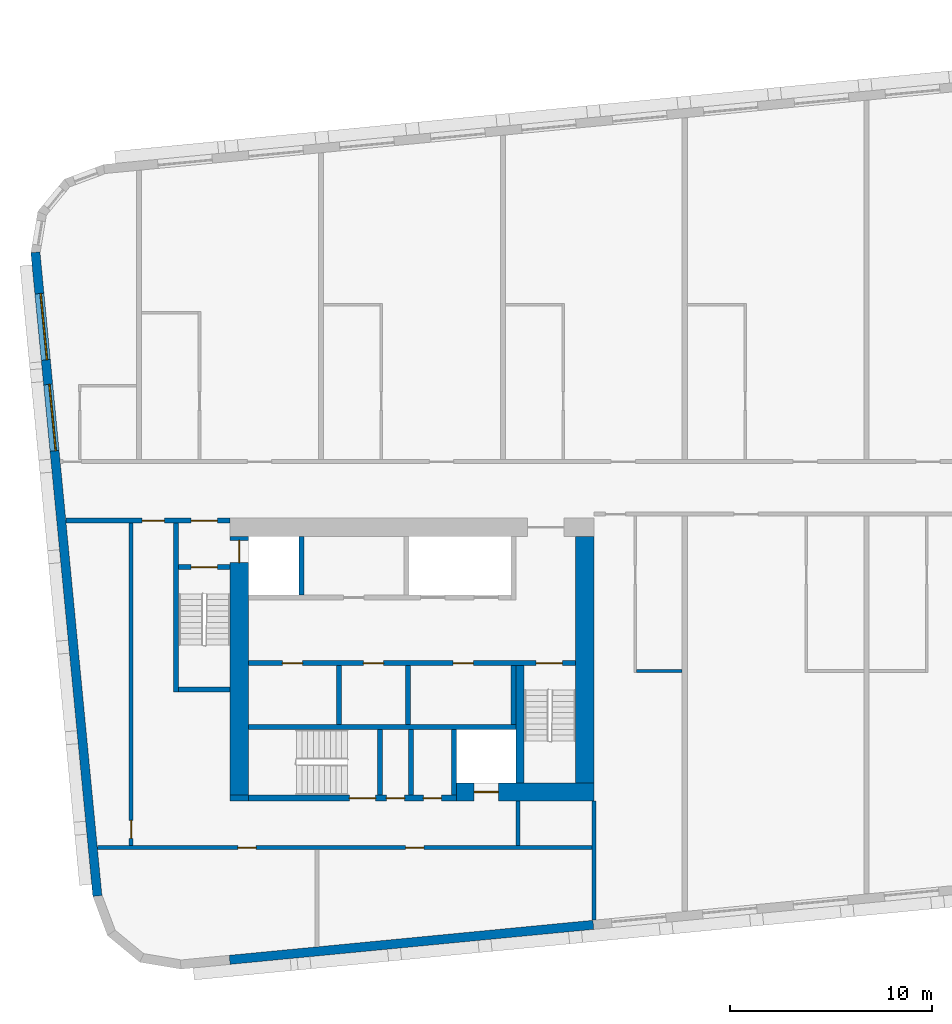
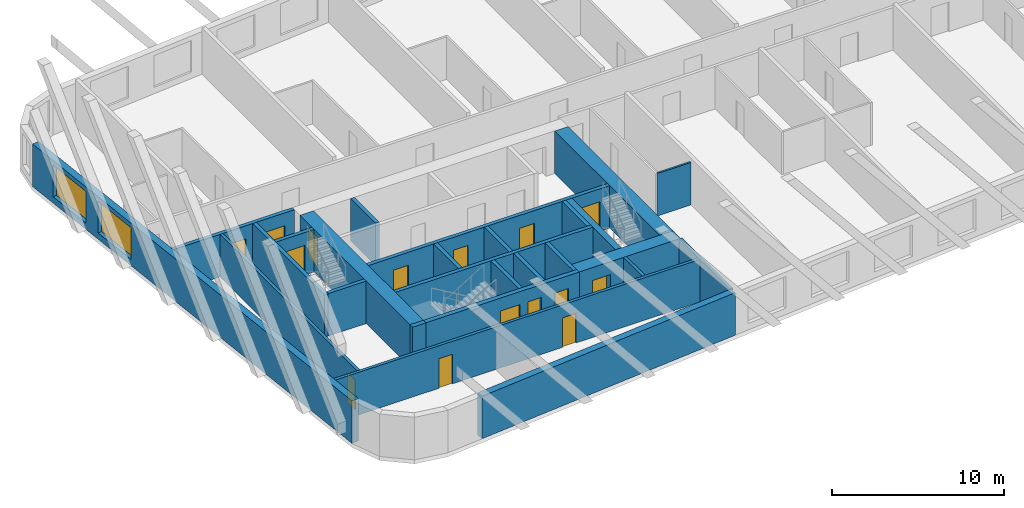
# One storey, part 2 of 12: 26 walls, 15 doors, 2 windows, 17 openings.
"""IFC4 building model written with IfcOpenShell, lengths in metres."""

from ifc_helpers import new_model, si_unit, direction, frame, frame_2d, origin, place, context, subcontext, project, spatial, rectangle, extrude, material, layer, layer_set, type_object, element, fill, save


model = new_model("IFC4")

# Units and contexts
model_context = context("Model", 3, precision=1e-05, world=origin(), true_north=direction((0.0, 1.0)))
body_context = subcontext(model_context, "Body", "Model", "MODEL_VIEW")
ifc_project = project(units=[si_unit("LENGTHUNIT", "METRE"), si_unit("AREAUNIT", "SQUARE_METRE"), si_unit("VOLUMEUNIT", "CUBIC_METRE"), si_unit("PLANEANGLEUNIT", "RADIAN"), si_unit("MASSUNIT", "GRAM", prefix="KILO")], contexts=[model_context])

# Site, building, storey
site_placement = place(None, origin())
site = spatial("IfcSite", under=ifc_project, at=site_placement, CompositionType="ELEMENT")
building_placement = place(site_placement, origin())
building = spatial("IfcBuilding", under=site, at=building_placement, Name="Kajstack Hotel Tower", CompositionType="ELEMENT")
storey_placement = place(building_placement, frame((0.0, 0.0, 268.5)))
storey = spatial("IfcBuildingStorey", under=building, at=storey_placement, Name="L66", CompositionType="ELEMENT", Elevation=268.5)

# Wall, opening, door
ifc_material_1 = material(Name="Concrete C60/75", Category="concrete")
ifc_layer_1 = layer(ifc_material_1, 0.89990234375)
ifc_layer_set_1 = layer_set([ifc_layer_1], Name="Core wall 900")
wall_type_1 = type_object("IfcWallType", Name="Core wall 900", PredefinedType="SHEAR", material=ifc_layer_set_1)
wall_1_placement = place(storey_placement, frame((-20.300048828125, -15.050048828125, 0.0), z_axis=(0.0, 0.0, 1.0), x_axis=(1.0, 0.0, 0.0)))
wall_1 = element("IfcWall", 1, at=wall_1_placement, inside=storey, type_object=wall_type_1, Name="Core wall W RS", PredefinedType="SHEAR", context=body_context, shape_type="SweptSolid", body=[
    extrude(rectangle(XDim=6.800048828125, YDim=0.89990234375, at=frame_2d((3.39990234375, 0.0))), origin(), (0.0, 0.0, 1.0), 3.02001953125),
])
opening_1_placement = place(wall_1_placement, frame((0.875, 0.0, 0.0)))
opening_1 = element("IfcOpeningElement", 2, at=opening_1_placement, cuts=wall_1, Name="Opening LD-SV1", PredefinedType="OPENING", context=body_context, shape_type="SweptSolid", body=[
    extrude(rectangle(XDim=1.199951171875, YDim=2.10009765625, at=frame_2d((0.60009765625, 1.050048828125))), frame((0.0, 0.4599609375, 0.0), z_axis=(0.0, -1.0, 0.0), x_axis=(1.0, 0.0, 0.0)), (0.0, 0.0, 1.0), 0.919921875),
])
ifc_material_2 = material(Name="Stainless steel", Category="steel")
door_type_1 = type_object("IfcDoorType", Name="Lift landing door 1200", OperationType="SLIDING_TO_LEFT", PredefinedType="DOOR", material=ifc_material_2)
door_1_placement = place(opening_1_placement, origin())
door_1 = element("IfcDoor", 3, at=door_1_placement, inside=storey, type_object=door_type_1, Name="Landing door SV1", OperationType="SLIDING_TO_LEFT", OverallHeight=2.10009765625, OverallWidth=1.199951171875, PredefinedType="DOOR", context=body_context, shape_type="SweptSolid", body=[
    extrude(rectangle(XDim=1.199951171875, YDim=2.10009765625, at=frame_2d((0.60009765625, 1.050048828125))), frame((0.0, 0.02490234375, 0.0), z_axis=(0.0, -1.0, 0.0), x_axis=(1.0, 0.0, 0.0)), (0.0, 0.0, 1.0), 0.050048828125),
])
fill(opening_1, door_1)

# Wall
wall_2_placement = place(storey_placement, frame((-31.5, -15.35009765625, 0.0), z_axis=(0.0, 0.0, 1.0), x_axis=(1.0, 0.0, 0.0)))
element("IfcWall", 4, at=wall_2_placement, inside=storey, type_object=wall_type_1, Name="Core wall W RSW", PredefinedType="SHEAR", context=body_context, shape_type="SweptSolid", body=[
    extrude(rectangle(XDim=0.89990234375, YDim=0.300048828125, at=frame_2d((0.449951171875, 0.0))), origin(), (0.0, 0.0, 1.0), 3.02001953125),
])

# Wall, opening, door
wall_3_placement = place(storey_placement, frame((-31.050048828125, -15.199951171875, 0.0), z_axis=(0.0, 0.0, 1.0), x_axis=(0.0, 1.0, 0.0)))
wall_3 = element("IfcWall", 5, at=wall_3_placement, inside=storey, type_object=wall_type_1, Name="Core wall W RW", PredefinedType="SHEAR", context=body_context, shape_type="SweptSolid", body=[
    extrude(rectangle(XDim=12.800048828125, YDim=0.89990234375, at=frame_2d((6.39990234375, 0.0))), origin(), (0.0, 0.0, 1.0), 3.02001953125),
])
opening_2_placement = place(wall_3_placement, frame((11.5, 0.0, 0.0)))
opening_2 = element("IfcOpeningElement", 6, at=opening_2_placement, cuts=wall_3, Name="Opening LD-FF1", PredefinedType="OPENING", context=body_context, shape_type="SweptSolid", body=[
    extrude(rectangle(XDim=1.10009765625, YDim=2.10009765625, at=frame_2d((0.550048828125, 1.050048828125))), frame((0.0, 0.4599609375, 0.0), z_axis=(0.0, -1.0, 0.0), x_axis=(1.0, 0.0, 0.0)), (0.0, 0.0, 1.0), 0.919921875),
])
door_type_2 = type_object("IfcDoorType", Name="Fire-fighting lift landing door 1100", OperationType="SLIDING_TO_LEFT", PredefinedType="DOOR", material=ifc_material_2)
door_2_placement = place(opening_2_placement, origin())
door_2 = element("IfcDoor", 7, at=door_2_placement, inside=storey, type_object=door_type_2, Name="Landing door FF1", OperationType="SLIDING_TO_RIGHT", OverallHeight=2.10009765625, OverallWidth=1.10009765625, PredefinedType="DOOR", context=body_context, shape_type="SweptSolid", body=[
    extrude(rectangle(XDim=1.10009765625, YDim=2.10009765625, at=frame_2d((0.550048828125, 1.050048828125))), frame((0.0, 0.02490234375, 0.0), z_axis=(0.0, -1.0, 0.0), x_axis=(1.0, 0.0, 0.0)), (0.0, 0.0, 1.0), 0.050048828125),
])
fill(opening_2, door_2)

# Walls
wall_4_placement = place(storey_placement, frame((-13.949951171875, -14.60009765625, 0.0), z_axis=(0.0, 0.0, 1.0), x_axis=(0.0, 1.0, 0.0)))
element("IfcWall", 8, at=wall_4_placement, inside=storey, type_object=wall_type_1, Name="Core wall W RE", PredefinedType="SHEAR", context=body_context, shape_type="SweptSolid", body=[
    extrude(rectangle(XDim=12.2001953125, YDim=0.89990234375, at=frame_2d((6.10009765625, 0.0))), origin(), (0.0, 0.0, 1.0), 3.02001953125),
])
ifc_material_3 = material(Name="Twin-frame gypsum board on steel studs, mineral wool", Category="steel")
ifc_layer_2 = layer(ifc_material_3, 0.199951171875)
ifc_layer_set_2 = layer_set([ifc_layer_2], Name="Demising wall 200")
wall_type_2 = type_object("IfcWallType", Name="Demising wall 200", PredefinedType="PARTITIONING", material=ifc_layer_set_2)
wall_5_placement = place(storey_placement, frame((-13.5, -21.39599609375, 0.0), z_axis=(0.0, 0.0, 1.0), x_axis=(0.0, 1.0, 0.0)))
element("IfcWall", 9, at=wall_5_placement, inside=storey, type_object=wall_type_2, Name="G-wall-L66-002", PredefinedType="PARTITIONING", context=body_context, shape_type="SweptSolid", body=[
    extrude(rectangle(XDim=5.89599609375, YDim=0.199951171875, at=frame_2d((2.947998046875, 0.0))), origin(), (0.0, 0.0, 1.0), 3.02001953125),
])
ifc_material_4 = material(Name="Concrete C40/50", Category="concrete")
ifc_layer_3 = layer(ifc_material_4, 0.449951171875)
ifc_layer_set_3 = layer_set([ifc_layer_3], Name="EW-CORE")
wall_type_3 = type_object("IfcWallType", Name="EW-CORE", PredefinedType="SOLIDWALL", material=ifc_layer_set_3)
wall_6_placement = place(storey_placement, frame((-31.521484375, -23.357177734375, 0.0), z_axis=(0.0, 0.0, 1.0), x_axis=(0.995396454615, 0.095843091245, 0.0)))
element("IfcWall", 10, at=wall_6_placement, inside=storey, type_object=wall_type_3, Name="E-wall-L66-04-01", PredefinedType="SOLIDWALL", context=body_context, shape_type="SweptSolid", body=[
    extrude(rectangle(XDim=18.083251953125, YDim=0.449951171875, at=frame_2d((9.04150390625, 0.0))), origin(), (0.0, 0.0, 1.0), 3.02001953125),
])

# Wall, openings, windows
ifc_material_5 = material(Name="Terracotta-faced brick masonry", Category="masonry")
ifc_layer_4 = layer(ifc_material_5, 0.449951171875)
ifc_layer_set_4 = layer_set([ifc_layer_4], Name="EW-TERRA")
wall_type_4 = type_object("IfcWallType", Name="EW-TERRA", PredefinedType="SOLIDWALL", material=ifc_layer_set_4)
wall_7_placement = place(storey_placement, frame((-41.13232421875, 11.657958984375, 0.0), z_axis=(0.0, 0.0, 1.0), x_axis=(0.095847749461, -0.995396006082, 0.0)))
wall_7 = element("IfcWall", 11, at=wall_7_placement, inside=storey, type_object=wall_type_4, Name="E-wall-L66-00-00", PredefinedType="SOLIDWALL", context=body_context, shape_type="SweptSolid", body=[
    extrude(rectangle(XDim=32.0, YDim=0.449951171875, at=frame_2d((16.0, 0.0))), origin(), (0.0, 0.0, 1.0), 3.02001953125),
])
opening_3_placement = place(wall_7_placement, frame((2.053466796875, 0.0, 0.449951171875)))
opening_3 = element("IfcOpeningElement", 12, at=opening_3_placement, cuts=wall_7, Name="Opening W2", PredefinedType="OPENING", context=body_context, shape_type="SweptSolid", body=[
    extrude(rectangle(XDim=3.300048828125, YDim=2.25, at=frame_2d((1.64990234375, 1.125))), frame((0.0, 0.23486328125, 0.0), z_axis=(0.0, -1.0, 0.0), x_axis=(1.0, 0.0, 0.0)), (0.0, 0.0, 1.0), 0.469970703125),
])
opening_4_placement = place(wall_7_placement, frame((6.57421875, 0.0, 0.449951171875)))
opening_4 = element("IfcOpeningElement", 13, at=opening_4_placement, cuts=wall_7, Name="Opening W2", PredefinedType="OPENING", context=body_context, shape_type="SweptSolid", body=[
    extrude(rectangle(XDim=3.300048828125, YDim=2.25, at=frame_2d((1.64990234375, 1.125))), frame((0.0, 0.23486328125, 0.0), z_axis=(0.0, -1.0, 0.0), x_axis=(1.0, 0.0, 0.0)), (0.0, 0.0, 1.0), 0.469970703125),
])
ifc_material_6 = material(Name="Timber-aluminium window, triple glazed", Category="wood")
window_type = type_object("IfcWindowType", Name="WG2", PartitioningType="SINGLE_PANEL", PredefinedType="WINDOW", material=ifc_material_6)
window_1_placement = place(opening_3_placement, origin())
window_1 = element("IfcWindow", 14, at=window_1_placement, inside=storey, type_object=window_type, Name="Window W2 L66-00", OverallHeight=2.25, OverallWidth=3.300048828125, PartitioningType="SINGLE_PANEL", PredefinedType="WINDOW", context=body_context, shape_type="SweptSolid", body=[
    extrude(rectangle(XDim=3.300048828125, YDim=2.25, at=frame_2d((1.64990234375, 1.125))), frame((0.0, 0.090087890625, 0.0), z_axis=(0.0, -1.0, 0.0), x_axis=(1.0, 0.0, 0.0)), (0.0, 0.0, 1.0), 0.06005859375),
])
fill(opening_3, window_1)
window_2_placement = place(opening_4_placement, origin())
window_2 = element("IfcWindow", 15, at=window_2_placement, inside=storey, type_object=window_type, Name="Window W2 L66-00", OverallHeight=2.25, OverallWidth=3.300048828125, PartitioningType="SINGLE_PANEL", PredefinedType="WINDOW", context=body_context, shape_type="SweptSolid", body=[
    extrude(rectangle(XDim=3.300048828125, YDim=2.25, at=frame_2d((1.64990234375, 1.125))), frame((0.0, 0.090087890625, 0.0), z_axis=(0.0, -1.0, 0.0), x_axis=(1.0, 0.0, 0.0)), (0.0, 0.0, 1.0), 0.06005859375),
])
fill(opening_4, window_2)

# Walls
ifc_material_7 = material(Name="Gypsum board and tiled backer on steel studs", Category="steel")
ifc_layer_5 = layer(ifc_material_7, 0.125)
ifc_layer_set_5 = layer_set([ifc_layer_5], Name="En-suite wall 125")
wall_type_5 = type_object("IfcWallType", Name="En-suite wall 125", PredefinedType="PARTITIONING", material=ifc_layer_set_5)
wall_8_placement = place(storey_placement, frame((-11.375, -9.06201171875, 0.0), z_axis=(0.0, 0.0, 1.0), x_axis=(1.0, 0.0, 0.0)))
element("IfcWall", 16, at=wall_8_placement, inside=storey, type_object=wall_type_5, Name="G-wall-L66-020", PredefinedType="PARTITIONING", context=body_context, shape_type="SweptSolid", body=[
    extrude(rectangle(XDim=2.25, YDim=0.125, at=frame_2d((1.125, 0.0))), origin(), (0.0, 0.0, 1.0), 3.02001953125),
])
ifc_material_8 = material(Name="Concrete block masonry", Category="masonry")
ifc_layer_6 = layer(ifc_material_8, 0.25)
ifc_layer_set_6 = layer_set([ifc_layer_6], Name="Riser partition 250")
wall_type_6 = type_object("IfcWallType", Name="Riser partition 250", PredefinedType="PARTITIONING", material=ifc_layer_set_6)
for number, where, z_axis, x_axis, name in (
    (17, (-26.10009765625, -11.699951171875, 0.0), (0.0, 0.0, 1.0), (0.0, 1.0, 0.0), "Partition W BF0"),
    (18, (-22.699951171875, -11.699951171875, 0.0), (0.0, 0.0, 1.0), (0.0, 1.0, 0.0), "Partition W BF1"),
):
    element("IfcWall", number, at=place(storey_placement, frame(where, z_axis=z_axis, x_axis=x_axis)), inside=storey, type_object=wall_type_6, Name=name, PredefinedType="PARTITIONING", context=body_context, shape_type="SweptSolid", body=[
        extrude(rectangle(XDim=2.89990234375, YDim=0.25, at=frame_2d((1.449951171875, 0.0))), origin(), (0.0, 0.0, 1.0), 3.02001953125),
    ])
wall_9_placement = place(storey_placement, frame((-22.550048828125, -15.199951171875, 0.0), z_axis=(0.0, 0.0, 1.0), x_axis=(0.0, 1.0, 0.0)))
element("IfcWall", 19, at=wall_9_placement, inside=storey, type_object=wall_type_6, Name="Partition W SZ0", PredefinedType="PARTITIONING", context=body_context, shape_type="SweptSolid", body=[
    extrude(rectangle(XDim=3.25, YDim=0.25, at=frame_2d((1.625, 0.0))), origin(), (0.0, 0.0, 1.0), 3.02001953125),
])

# Wall, openings, doors
ifc_material_9 = material(Name="Gypsum board on steel studs, mineral wool", Category="steel")
ifc_layer_7 = layer(ifc_material_9, 0.199951171875)
ifc_layer_set_7 = layer_set([ifc_layer_7], Name="Service partition 200")
wall_type_7 = type_object("IfcWallType", Name="Service partition 200", PredefinedType="PARTITIONING", material=ifc_layer_set_7)
wall_10_placement = place(storey_placement, frame((-39.627197265625, -1.625, 0.0), z_axis=(0.0, 0.0, 1.0), x_axis=(1.0, 0.0, 0.0)))
wall_10 = element("IfcWall", 20, at=wall_10_placement, inside=storey, type_object=wall_type_7, Name="Partition W SN", PredefinedType="PARTITIONING", context=body_context, shape_type="SweptSolid", body=[
    extrude(rectangle(XDim=8.127197265625, YDim=0.25, at=frame_2d((4.0634765625, 0.0))), origin(), (0.0, 0.0, 1.0), 3.02001953125),
])
opening_5_placement = place(wall_10_placement, frame((6.202392578125, 0.0, 0.0)))
opening_5 = element("IfcOpeningElement", 21, at=opening_5_placement, cuts=wall_10, Name="Opening 66W06", PredefinedType="OPENING", context=body_context, shape_type="SweptSolid", body=[
    extrude(rectangle(XDim=1.300048828125, YDim=2.10009765625, at=frame_2d((0.64990234375, 1.050048828125))), frame((0.0, 0.135009765625, 0.0), z_axis=(0.0, -1.0, 0.0), x_axis=(1.0, 0.0, 0.0)), (0.0, 0.0, 1.0), 0.27001953125),
])
opening_6_placement = place(wall_10_placement, frame((3.77734375, 0.0, 0.0)))
opening_6 = element("IfcOpeningElement", 22, at=opening_6_placement, cuts=wall_10, Name="Opening 66W08", PredefinedType="OPENING", context=body_context, shape_type="SweptSolid", body=[
    extrude(rectangle(XDim=1.10009765625, YDim=2.10009765625, at=frame_2d((0.550048828125, 1.050048828125))), frame((0.0, 0.135009765625, 0.0), z_axis=(0.0, -1.0, 0.0), x_axis=(1.0, 0.0, 0.0)), (0.0, 0.0, 1.0), 0.27001953125),
])
ifc_material_10 = material(Name="Steel leaf, fire-rated", Category="steel")
door_type_3 = type_object("IfcDoorType", Name="Fire lobby door 1300", OperationType="SINGLE_SWING_LEFT", PredefinedType="DOOR", material=ifc_material_10)
door_3_placement = place(opening_5_placement, origin())
door_3 = element("IfcDoor", 23, at=door_3_placement, inside=storey, type_object=door_type_3, Name="Door 66W06", OperationType="SINGLE_SWING_RIGHT", OverallHeight=2.10009765625, OverallWidth=1.300048828125, PredefinedType="DOOR", context=body_context, shape_type="SweptSolid", body=[
    extrude(rectangle(XDim=1.300048828125, YDim=2.10009765625, at=frame_2d((0.64990234375, 1.050048828125))), frame((0.0, 0.02490234375, 0.0), z_axis=(0.0, -1.0, 0.0), x_axis=(1.0, 0.0, 0.0)), (0.0, 0.0, 1.0), 0.050048828125),
])
fill(opening_5, door_3)
ifc_material_11 = material(Name="Timber leaf, fire-rated", Category="wood")
door_type_4 = type_object("IfcDoorType", Name="Service corridor door 1100", OperationType="SINGLE_SWING_LEFT", PredefinedType="DOOR", material=ifc_material_11)
door_4_placement = place(opening_6_placement, origin())
door_4 = element("IfcDoor", 24, at=door_4_placement, inside=storey, type_object=door_type_4, Name="Door 66W08", OperationType="SINGLE_SWING_RIGHT", OverallHeight=2.10009765625, OverallWidth=1.10009765625, PredefinedType="DOOR", context=body_context, shape_type="SweptSolid", body=[
    extrude(rectangle(XDim=1.10009765625, YDim=2.10009765625, at=frame_2d((0.550048828125, 1.050048828125))), frame((0.0, 0.02490234375, 0.0), z_axis=(0.0, -1.0, 0.0), x_axis=(1.0, 0.0, 0.0)), (0.0, 0.0, 1.0), 0.050048828125),
])
fill(opening_6, door_4)

# Wall
wall_11_placement = place(storey_placement, frame((-17.25, -17.699951171875, 0.0), z_axis=(0.0, 0.0, 1.0), x_axis=(0.0, 1.0, 0.0)))
element("IfcWall", 25, at=wall_11_placement, inside=storey, type_object=wall_type_7, Name="Partition W SCE", PredefinedType="PARTITIONING", context=body_context, shape_type="SweptSolid", body=[
    extrude(rectangle(XDim=2.199951171875, YDim=0.199951171875, at=frame_2d((1.10009765625, 0.0))), origin(), (0.0, 0.0, 1.0), 3.02001953125),
])

# Wall, opening, door
wall_12_placement = place(storey_placement, frame((-36.39990234375, -17.699951171875, 0.0), z_axis=(0.0, 0.0, 1.0), x_axis=(0.0, 1.0, 0.0)))
wall_12 = element("IfcWall", 26, at=wall_12_placement, inside=storey, type_object=wall_type_7, Name="Partition W WRE", PredefinedType="PARTITIONING", context=body_context, shape_type="SweptSolid", body=[
    extrude(rectangle(XDim=15.949951171875, YDim=0.199951171875, at=frame_2d((7.97509765625, 0.0))), origin(), (0.0, 0.0, 1.0), 3.02001953125),
])
opening_7_placement = place(wall_12_placement, frame((0.35009765625, 0.0, 0.0)))
opening_7 = element("IfcOpeningElement", 27, at=opening_7_placement, cuts=wall_12, Name="Opening 66W19", PredefinedType="OPENING", context=body_context, shape_type="SweptSolid", body=[
    extrude(rectangle(XDim=0.89990234375, YDim=2.10009765625, at=frame_2d((0.449951171875, 1.050048828125))), frame((0.0, 0.10986328125, 0.0), z_axis=(0.0, -1.0, 0.0), x_axis=(1.0, 0.0, 0.0)), (0.0, 0.0, 1.0), 0.219970703125),
])
door_type_5 = type_object("IfcDoorType", Name="Service door 900", OperationType="SINGLE_SWING_LEFT", PredefinedType="DOOR", material=ifc_material_11)
door_5_placement = place(opening_7_placement, origin())
door_5 = element("IfcDoor", 28, at=door_5_placement, inside=storey, type_object=door_type_5, Name="Door 66W19", OperationType="SINGLE_SWING_LEFT", OverallHeight=2.10009765625, OverallWidth=0.89990234375, PredefinedType="DOOR", context=body_context, shape_type="SweptSolid", body=[
    extrude(rectangle(XDim=0.89990234375, YDim=2.10009765625, at=frame_2d((0.449951171875, 1.050048828125))), frame((0.0, 0.02490234375, 0.0), z_axis=(0.0, -1.0, 0.0), x_axis=(1.0, 0.0, 0.0)), (0.0, 0.0, 1.0), 0.050048828125),
])
fill(opening_7, door_5)

# Wall, openings, doors
wall_13_placement = place(storey_placement, frame((-38.06982421875, -17.800048828125, 0.0), z_axis=(0.0, 0.0, 1.0), x_axis=(1.0, 0.0, 0.0)))
wall_13 = element("IfcWall", 29, at=wall_13_placement, inside=storey, type_object=wall_type_7, Name="Partition W SLN", PredefinedType="PARTITIONING", context=body_context, shape_type="SweptSolid", body=[
    extrude(rectangle(XDim=24.4697265625, YDim=0.199951171875, at=frame_2d((12.23486328125, 0.0))), origin(), (0.0, 0.0, 1.0), 3.02001953125),
])
opening_8_placement = place(wall_13_placement, frame((6.957275390625, 0.0, 0.0)))
opening_8 = element("IfcOpeningElement", 30, at=opening_8_placement, cuts=wall_13, Name="Opening 66W17", PredefinedType="OPENING", context=body_context, shape_type="SweptSolid", body=[
    extrude(rectangle(XDim=0.89990234375, YDim=2.10009765625, at=frame_2d((0.449951171875, 1.050048828125))), frame((0.0, 0.10986328125, 0.0), z_axis=(0.0, -1.0, 0.0), x_axis=(1.0, 0.0, 0.0)), (0.0, 0.0, 1.0), 0.219970703125),
])
opening_9_placement = place(wall_13_placement, frame((15.25732421875, 0.0, 0.0)))
opening_9 = element("IfcOpeningElement", 31, at=opening_9_placement, cuts=wall_13, Name="Opening 66W18", PredefinedType="OPENING", context=body_context, shape_type="SweptSolid", body=[
    extrude(rectangle(XDim=0.89990234375, YDim=2.10009765625, at=frame_2d((0.449951171875, 1.050048828125))), frame((0.0, 0.10986328125, 0.0), z_axis=(0.0, -1.0, 0.0), x_axis=(1.0, 0.0, 0.0)), (0.0, 0.0, 1.0), 0.219970703125),
])
door_6_placement = place(opening_8_placement, origin())
door_6 = element("IfcDoor", 32, at=door_6_placement, inside=storey, type_object=door_type_5, Name="Door 66W17", OperationType="SINGLE_SWING_RIGHT", OverallHeight=2.10009765625, OverallWidth=0.89990234375, PredefinedType="DOOR", context=body_context, shape_type="SweptSolid", body=[
    extrude(rectangle(XDim=0.89990234375, YDim=2.10009765625, at=frame_2d((0.449951171875, 1.050048828125))), frame((0.0, 0.02490234375, 0.0), z_axis=(0.0, -1.0, 0.0), x_axis=(1.0, 0.0, 0.0)), (0.0, 0.0, 1.0), 0.050048828125),
])
fill(opening_8, door_6)
door_7_placement = place(opening_9_placement, origin())
door_7 = element("IfcDoor", 33, at=door_7_placement, inside=storey, type_object=door_type_5, Name="Door 66W18", OperationType="SINGLE_SWING_RIGHT", OverallHeight=2.10009765625, OverallWidth=0.89990234375, PredefinedType="DOOR", context=body_context, shape_type="SweptSolid", body=[
    extrude(rectangle(XDim=0.89990234375, YDim=2.10009765625, at=frame_2d((0.449951171875, 1.050048828125))), frame((0.0, 0.02490234375, 0.0), z_axis=(0.0, -1.0, 0.0), x_axis=(1.0, 0.0, 0.0)), (0.0, 0.0, 1.0), 0.050048828125),
])
fill(opening_9, door_7)

ifc_material_12 = material(Name="Concrete C50/60", Category="concrete")
ifc_layer_8 = layer(ifc_material_12, 0.25)
ifc_layer_set_8 = layer_set([ifc_layer_8], Name="Shaft wall 250")
wall_type_8 = type_object("IfcWallType", Name="Shaft wall 250", PredefinedType="SHEAR", material=ifc_layer_set_8)
wall_14_placement = place(storey_placement, frame((-30.60009765625, -15.35009765625, 0.0), z_axis=(0.0, 0.0, 1.0), x_axis=(1.0, 0.0, 0.0)))
wall_14 = element("IfcWall", 34, at=wall_14_placement, inside=storey, type_object=wall_type_8, Name="Core wall W RSS", PredefinedType="SHEAR", context=body_context, shape_type="SweptSolid", body=[
    extrude(rectangle(XDim=10.300048828125, YDim=0.300048828125, at=frame_2d((5.14990234375, 0.0))), origin(), (0.0, 0.0, 1.0), 3.02001953125),
])
opening_10_placement = place(wall_14_placement, frame((5.0, 0.0, 0.0)))
opening_10 = element("IfcOpeningElement", 35, at=opening_10_placement, cuts=wall_14, Name="Opening 66W10", PredefinedType="OPENING", context=body_context, shape_type="SweptSolid", body=[
    extrude(rectangle(XDim=1.300048828125, YDim=2.10009765625, at=frame_2d((0.64990234375, 1.050048828125))), frame((0.0, 0.159912109375, 0.0), z_axis=(0.0, -1.0, 0.0), x_axis=(1.0, 0.0, 0.0)), (0.0, 0.0, 1.0), 0.320068359375),
])
opening_11_placement = place(wall_14_placement, frame((6.83740234375, 0.0, 0.0)))
opening_11 = element("IfcOpeningElement", 36, at=opening_11_placement, cuts=wall_14, Name="Opening 66W11", PredefinedType="OPENING", context=body_context, shape_type="SweptSolid", body=[
    extrude(rectangle(XDim=0.89990234375, YDim=2.10009765625, at=frame_2d((0.449951171875, 1.050048828125))), frame((0.0, 0.159912109375, 0.0), z_axis=(0.0, -1.0, 0.0), x_axis=(1.0, 0.0, 0.0)), (0.0, 0.0, 1.0), 0.320068359375),
])
opening_12_placement = place(wall_14_placement, frame((8.66259765625, 0.0, 0.0)))
opening_12 = element("IfcOpeningElement", 37, at=opening_12_placement, cuts=wall_14, Name="Opening 66W12", PredefinedType="OPENING", context=body_context, shape_type="SweptSolid", body=[
    extrude(rectangle(XDim=0.89990234375, YDim=2.10009765625, at=frame_2d((0.449951171875, 1.050048828125))), frame((0.0, 0.159912109375, 0.0), z_axis=(0.0, -1.0, 0.0), x_axis=(1.0, 0.0, 0.0)), (0.0, 0.0, 1.0), 0.320068359375),
])
door_type_6 = type_object("IfcDoorType", Name="Riser door 900", OperationType="SINGLE_SWING_LEFT", PredefinedType="DOOR", material=ifc_material_10)
door_8_placement = place(opening_12_placement, origin())
door_8 = element("IfcDoor", 38, at=door_8_placement, inside=storey, type_object=door_type_6, Name="Door 66W12", OperationType="SINGLE_SWING_LEFT", OverallHeight=2.10009765625, OverallWidth=0.89990234375, PredefinedType="DOOR", context=body_context, shape_type="SweptSolid", body=[
    extrude(rectangle(XDim=0.89990234375, YDim=2.10009765625, at=frame_2d((0.449951171875, 1.050048828125))), frame((0.0, 0.02490234375, 0.0), z_axis=(0.0, -1.0, 0.0), x_axis=(1.0, 0.0, 0.0)), (0.0, 0.0, 1.0), 0.050048828125),
])
fill(opening_12, door_8)
door_9_placement = place(opening_11_placement, origin())
door_9 = element("IfcDoor", 39, at=door_9_placement, inside=storey, type_object=door_type_5, Name="Door 66W11", OperationType="SINGLE_SWING_LEFT", OverallHeight=2.10009765625, OverallWidth=0.89990234375, PredefinedType="DOOR", context=body_context, shape_type="SweptSolid", body=[
    extrude(rectangle(XDim=0.89990234375, YDim=2.10009765625, at=frame_2d((0.449951171875, 1.050048828125))), frame((0.0, 0.02490234375, 0.0), z_axis=(0.0, -1.0, 0.0), x_axis=(1.0, 0.0, 0.0)), (0.0, 0.0, 1.0), 0.050048828125),
])
fill(opening_11, door_9)
door_type_7 = type_object("IfcDoorType", Name="Stair door 1300", OperationType="SINGLE_SWING_LEFT", PredefinedType="DOOR", material=ifc_material_10)
door_10_placement = place(opening_10_placement, origin())
door_10 = element("IfcDoor", 40, at=door_10_placement, inside=storey, type_object=door_type_7, Name="Door 66W10", OperationType="SINGLE_SWING_RIGHT", OverallHeight=2.10009765625, OverallWidth=1.300048828125, PredefinedType="DOOR", context=body_context, shape_type="SweptSolid", body=[
    extrude(rectangle(XDim=1.300048828125, YDim=2.10009765625, at=frame_2d((0.64990234375, 1.050048828125))), frame((0.0, 0.02490234375, 0.0), z_axis=(0.0, -1.0, 0.0), x_axis=(1.0, 0.0, 0.0)), (0.0, 0.0, 1.0), 0.050048828125),
])
fill(opening_10, door_10)

# Wall
wall_15_placement = place(storey_placement, frame((-27.97509765625, -5.300048828125, 0.0), z_axis=(0.0, 0.0, 1.0), x_axis=(0.0, 1.0, 0.0)))
element("IfcWall", 41, at=wall_15_placement, inside=storey, type_object=wall_type_8, Name="Core wall W AP0", PredefinedType="SHEAR", context=body_context, shape_type="SweptSolid", body=[
    extrude(rectangle(XDim=2.900146484375, YDim=0.25, at=frame_2d((1.4501953125, 0.0))), origin(), (0.0, 0.0, 1.0), 3.02001953125),
])

# Wall, openings, doors
wall_16_placement = place(storey_placement, frame((-30.60009765625, -8.675048828125, 0.0), z_axis=(0.0, 0.0, 1.0), x_axis=(1.0, 0.0, 0.0)))
wall_16 = element("IfcWall", 42, at=wall_16_placement, inside=storey, type_object=wall_type_8, Name="Core wall W FB", PredefinedType="SHEAR", context=body_context, shape_type="SweptSolid", body=[
    extrude(rectangle(XDim=16.2001953125, YDim=0.25, at=frame_2d((8.10009765625, 0.0))), origin(), (0.0, 0.0, 1.0), 3.02001953125),
])
opening_13_placement = place(wall_16_placement, frame((14.25, 0.0, 0.0)))
opening_13 = element("IfcOpeningElement", 43, at=opening_13_placement, cuts=wall_16, Name="Opening 66W09", PredefinedType="OPENING", context=body_context, shape_type="SweptSolid", body=[
    extrude(rectangle(XDim=1.300048828125, YDim=2.10009765625, at=frame_2d((0.64990234375, 1.050048828125))), frame((0.0, 0.135009765625, 0.0), z_axis=(0.0, -1.0, 0.0), x_axis=(1.0, 0.0, 0.0)), (0.0, 0.0, 1.0), 0.27001953125),
])
opening_14_placement = place(wall_16_placement, frame((1.6875, 0.0, 0.0)))
opening_14 = element("IfcOpeningElement", 44, at=opening_14_placement, cuts=wall_16, Name="Opening 66W13", PredefinedType="OPENING", context=body_context, shape_type="SweptSolid", body=[
    extrude(rectangle(XDim=1.0, YDim=2.10009765625, at=frame_2d((0.5, 1.050048828125))), frame((0.0, 0.135009765625, 0.0), z_axis=(0.0, -1.0, 0.0), x_axis=(1.0, 0.0, 0.0)), (0.0, 0.0, 1.0), 0.27001953125),
])
opening_15_placement = place(wall_16_placement, frame((5.699951171875, 0.0, 0.0)))
opening_15 = element("IfcOpeningElement", 45, at=opening_15_placement, cuts=wall_16, Name="Opening 66W14", PredefinedType="OPENING", context=body_context, shape_type="SweptSolid", body=[
    extrude(rectangle(XDim=1.0, YDim=2.10009765625, at=frame_2d((0.5, 1.050048828125))), frame((0.0, 0.135009765625, 0.0), z_axis=(0.0, -1.0, 0.0), x_axis=(1.0, 0.0, 0.0)), (0.0, 0.0, 1.0), 0.27001953125),
])
opening_16_placement = place(wall_16_placement, frame((10.137451171875, 0.0, 0.0)))
opening_16 = element("IfcOpeningElement", 46, at=opening_16_placement, cuts=wall_16, Name="Opening 66W15", PredefinedType="OPENING", context=body_context, shape_type="SweptSolid", body=[
    extrude(rectangle(XDim=1.0, YDim=2.10009765625, at=frame_2d((0.5, 1.050048828125))), frame((0.0, 0.135009765625, 0.0), z_axis=(0.0, -1.0, 0.0), x_axis=(1.0, 0.0, 0.0)), (0.0, 0.0, 1.0), 0.27001953125),
])
door_type_8 = type_object("IfcDoorType", Name="Service room door 1000", OperationType="SINGLE_SWING_LEFT", PredefinedType="DOOR", material=ifc_material_11)
door_11_placement = place(opening_14_placement, origin())
door_11 = element("IfcDoor", 47, at=door_11_placement, inside=storey, type_object=door_type_8, Name="Door 66W13", OperationType="SINGLE_SWING_RIGHT", OverallHeight=2.10009765625, OverallWidth=1.0, PredefinedType="DOOR", context=body_context, shape_type="SweptSolid", body=[
    extrude(rectangle(XDim=1.0, YDim=2.10009765625, at=frame_2d((0.5, 1.050048828125))), frame((0.0, 0.02490234375, 0.0), z_axis=(0.0, -1.0, 0.0), x_axis=(1.0, 0.0, 0.0)), (0.0, 0.0, 1.0), 0.050048828125),
])
fill(opening_14, door_11)
door_12_placement = place(opening_15_placement, origin())
door_12 = element("IfcDoor", 48, at=door_12_placement, inside=storey, type_object=door_type_8, Name="Door 66W14", OperationType="SINGLE_SWING_RIGHT", OverallHeight=2.10009765625, OverallWidth=1.0, PredefinedType="DOOR", context=body_context, shape_type="SweptSolid", body=[
    extrude(rectangle(XDim=1.0, YDim=2.10009765625, at=frame_2d((0.5, 1.050048828125))), frame((0.0, 0.02490234375, 0.0), z_axis=(0.0, -1.0, 0.0), x_axis=(1.0, 0.0, 0.0)), (0.0, 0.0, 1.0), 0.050048828125),
])
fill(opening_15, door_12)
door_13_placement = place(opening_16_placement, origin())
door_13 = element("IfcDoor", 49, at=door_13_placement, inside=storey, type_object=door_type_8, Name="Door 66W15", OperationType="SINGLE_SWING_RIGHT", OverallHeight=2.10009765625, OverallWidth=1.0, PredefinedType="DOOR", context=body_context, shape_type="SweptSolid", body=[
    extrude(rectangle(XDim=1.0, YDim=2.10009765625, at=frame_2d((0.5, 1.050048828125))), frame((0.0, 0.02490234375, 0.0), z_axis=(0.0, -1.0, 0.0), x_axis=(1.0, 0.0, 0.0)), (0.0, 0.0, 1.0), 0.050048828125),
])
fill(opening_16, door_13)
door_14_placement = place(opening_13_placement, origin())
door_14 = element("IfcDoor", 50, at=door_14_placement, inside=storey, type_object=door_type_7, Name="Door 66W09", OperationType="SINGLE_SWING_RIGHT", OverallHeight=2.10009765625, OverallWidth=1.300048828125, PredefinedType="DOOR", context=body_context, shape_type="SweptSolid", body=[
    extrude(rectangle(XDim=1.300048828125, YDim=2.10009765625, at=frame_2d((0.64990234375, 1.050048828125))), frame((0.0, 0.02490234375, 0.0), z_axis=(0.0, -1.0, 0.0), x_axis=(1.0, 0.0, 0.0)), (0.0, 0.0, 1.0), 0.050048828125),
])
fill(opening_13, door_14)

# Walls
wall_17_placement = place(storey_placement, frame((-30.60009765625, -11.824951171875, 0.0), z_axis=(0.0, 0.0, 1.0), x_axis=(1.0, 0.0, 0.0)))
element("IfcWall", 51, at=wall_17_placement, inside=storey, type_object=wall_type_8, Name="Core wall W RB", PredefinedType="SHEAR", context=body_context, shape_type="SweptSolid", body=[
    extrude(rectangle(XDim=13.25, YDim=0.25, at=frame_2d((6.625, 0.0))), origin(), (0.0, 0.0, 1.0), 3.02001953125),
])
wall_18_placement = place(storey_placement, frame((-17.47509765625, -11.699951171875, 0.0), z_axis=(0.0, 0.0, 1.0), x_axis=(0.0, 1.0, 0.0)))
element("IfcWall", 52, at=wall_18_placement, inside=storey, type_object=wall_type_8, Name="Core wall W BE", PredefinedType="SHEAR", context=body_context, shape_type="SweptSolid", body=[
    extrude(rectangle(XDim=2.89990234375, YDim=0.25, at=frame_2d((1.449951171875, 0.0))), origin(), (0.0, 0.0, 1.0), 3.02001953125),
])
wall_19_placement = place(storey_placement, frame((-20.425048828125, -15.199951171875, 0.0), z_axis=(0.0, 0.0, 1.0), x_axis=(0.0, 1.0, 0.0)))
element("IfcWall", 53, at=wall_19_placement, inside=storey, type_object=wall_type_8, Name="Core wall W SVW", PredefinedType="SHEAR", context=body_context, shape_type="SweptSolid", body=[
    extrude(rectangle(XDim=3.25, YDim=0.25, at=frame_2d((1.625, 0.0))), origin(), (0.0, 0.0, 1.0), 3.02001953125),
])

# Wall, opening, door
ifc_layer_9 = layer(ifc_material_4, 0.25)
ifc_layer_set_9 = layer_set([ifc_layer_9], Name="Stair enclosure wall 250")
wall_type_9 = type_object("IfcWallType", Name="Stair enclosure wall 250", PredefinedType="SHEAR", material=ifc_layer_set_9)
wall_20_placement = place(storey_placement, frame((-34.050048828125, -3.925048828125, 0.0), z_axis=(0.0, 0.0, 1.0), x_axis=(1.0, 0.0, 0.0)))
wall_20 = element("IfcWall", 54, at=wall_20_placement, inside=storey, type_object=wall_type_9, Name="Core wall W W1N", PredefinedType="SHEAR", context=body_context, shape_type="SweptSolid", body=[
    extrude(rectangle(XDim=2.550048828125, YDim=0.25, at=frame_2d((1.27490234375, 0.0))), origin(), (0.0, 0.0, 1.0), 3.02001953125),
])
opening_17_placement = place(wall_20_placement, frame((0.625, 0.0, 0.0)))
opening_17 = element("IfcOpeningElement", 55, at=opening_17_placement, cuts=wall_20, Name="Opening 66W07", PredefinedType="OPENING", context=body_context, shape_type="SweptSolid", body=[
    extrude(rectangle(XDim=1.300048828125, YDim=2.10009765625, at=frame_2d((0.64990234375, 1.050048828125))), frame((0.0, 0.135009765625, 0.0), z_axis=(0.0, -1.0, 0.0), x_axis=(1.0, 0.0, 0.0)), (0.0, 0.0, 1.0), 0.27001953125),
])
door_15_placement = place(opening_17_placement, origin())
door_15 = element("IfcDoor", 56, at=door_15_placement, inside=storey, type_object=door_type_7, Name="Door 66W07", OperationType="SINGLE_SWING_RIGHT", OverallHeight=2.10009765625, OverallWidth=1.300048828125, PredefinedType="DOOR", context=body_context, shape_type="SweptSolid", body=[
    extrude(rectangle(XDim=1.300048828125, YDim=2.10009765625, at=frame_2d((0.64990234375, 1.050048828125))), frame((0.0, 0.02490234375, 0.0), z_axis=(0.0, -1.0, 0.0), x_axis=(1.0, 0.0, 0.0)), (0.0, 0.0, 1.0), 0.050048828125),
])
fill(opening_17, door_15)

# Walls
wall_21_placement = place(storey_placement, frame((-34.175048828125, -10.10009765625, 0.0), z_axis=(0.0, 0.0, 1.0), x_axis=(0.0, 1.0, 0.0)))
element("IfcWall", 57, at=wall_21_placement, inside=storey, type_object=wall_type_9, Name="Core wall W W1W", PredefinedType="SHEAR", context=body_context, shape_type="SweptSolid", body=[
    extrude(rectangle(XDim=8.35009765625, YDim=0.25, at=frame_2d((4.175048828125, 0.0))), origin(), (0.0, 0.0, 1.0), 3.02001953125),
])
wall_22_placement = place(storey_placement, frame((-34.050048828125, -9.97509765625, 0.0), z_axis=(0.0, 0.0, 1.0), x_axis=(1.0, 0.0, 0.0)))
element("IfcWall", 58, at=wall_22_placement, inside=storey, type_object=wall_type_9, Name="Core wall W W1S", PredefinedType="SHEAR", context=body_context, shape_type="SweptSolid", body=[
    extrude(rectangle(XDim=2.550048828125, YDim=0.25, at=frame_2d((1.27490234375, 0.0))), origin(), (0.0, 0.0, 1.0), 3.02001953125),
])
ifc_layer_10 = layer(ifc_material_12, 0.35009765625)
ifc_layer_set_10 = layer_set([ifc_layer_10], Name="Stair enclosure wall 350")
wall_type_10 = type_object("IfcWallType", Name="Stair enclosure wall 350", PredefinedType="SHEAR", material=ifc_layer_set_10)
wall_23_placement = place(storey_placement, frame((-24.074951171875, -15.199951171875, 0.0), z_axis=(0.0, 0.0, 1.0), x_axis=(0.0, 1.0, 0.0)))
element("IfcWall", 59, at=wall_23_placement, inside=storey, type_object=wall_type_10, Name="Core wall W W3E", PredefinedType="SHEAR", context=body_context, shape_type="SweptSolid", body=[
    extrude(rectangle(XDim=3.25, YDim=0.25, at=frame_2d((1.625, 0.0))), origin(), (0.0, 0.0, 1.0), 3.02001953125),
])
ifc_layer_11 = layer(ifc_material_12, 0.39990234375)
ifc_layer_set_11 = layer_set([ifc_layer_11], Name="Stair wall 400")
wall_type_11 = type_object("IfcWallType", Name="Stair wall 400", PredefinedType="SHEAR", material=ifc_layer_set_11)
wall_24_placement = place(storey_placement, frame((-17.14990234375, -14.60009765625, 0.0), z_axis=(0.0, 0.0, 1.0), x_axis=(0.0, 1.0, 0.0)))
element("IfcWall", 60, at=wall_24_placement, inside=storey, type_object=wall_type_11, Name="Core wall W WW2", PredefinedType="SHEAR", context=body_context, shape_type="SweptSolid", body=[
    extrude(rectangle(XDim=5.800048828125, YDim=0.39990234375, at=frame_2d((2.89990234375, 0.0))), origin(), (0.0, 0.0, 1.0), 3.02001953125),
])

save(model, "model.ifc")
